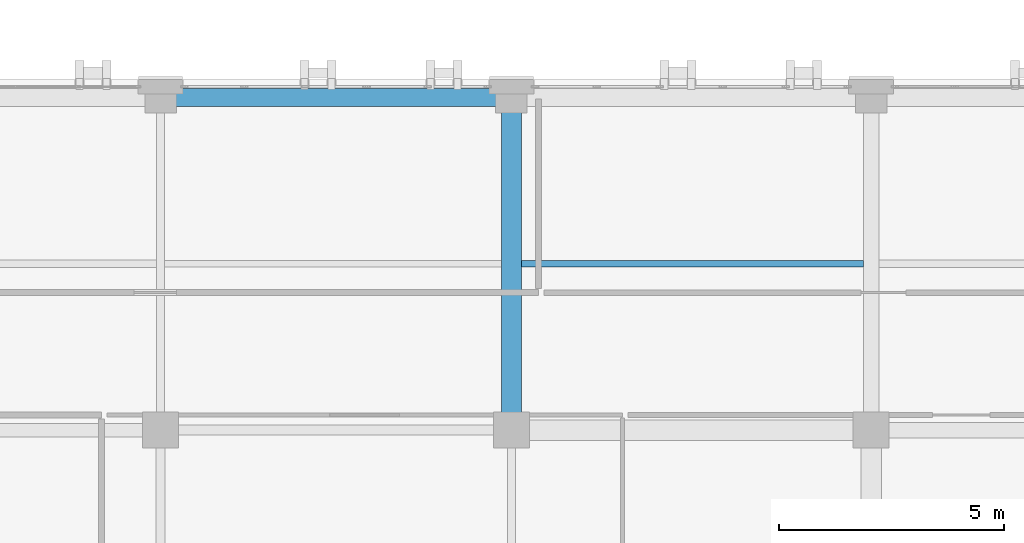
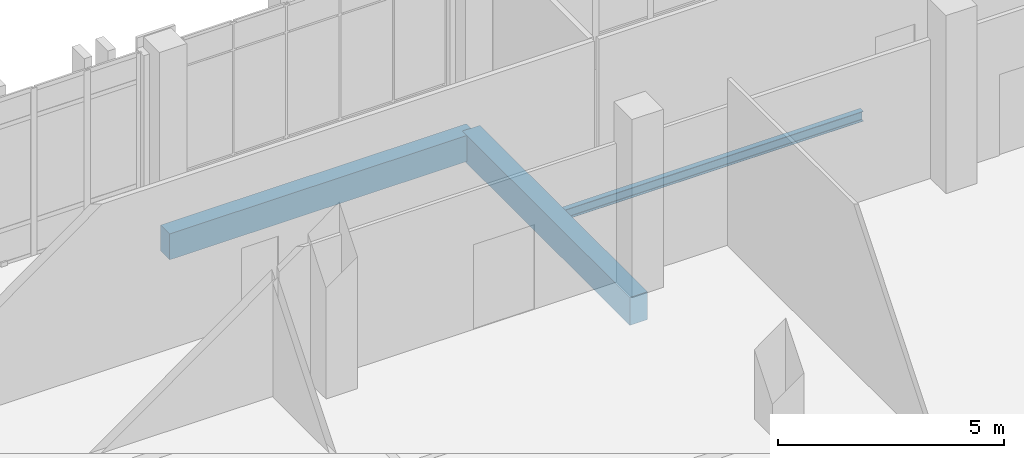
# One storey, part 124 of 189: 3 beams.
"""IFC4 building model written with IfcOpenShell, lengths in metres."""

from ifc_helpers import new_model, si_unit, direction, frame, origin, origin_2d, place, context, subcontext, project, spatial, rectangle, i_section, extrude, material, material_profile, profile_set, type_object, element, save


model = new_model("IFC4")

# Units and contexts
model_context = context("Model", 3, precision=1e-05, world=origin(), true_north=direction((0.0, 1.0)))
body_context = subcontext(model_context, "Body", "Model", "MODEL_VIEW")
ifc_project = project(units=[si_unit("LENGTHUNIT", "METRE"), si_unit("AREAUNIT", "SQUARE_METRE"), si_unit("VOLUMEUNIT", "CUBIC_METRE"), si_unit("PLANEANGLEUNIT", "RADIAN"), si_unit("MASSUNIT", "GRAM", prefix="KILO")], contexts=[model_context])

# Site, building, storey
site_placement = place(None, origin())
site = spatial("IfcSite", under=ifc_project, at=site_placement, CompositionType="ELEMENT")
building_placement = place(site_placement, origin())
building = spatial("IfcBuilding", under=site, at=building_placement, Name="Qalavern Law Courts", CompositionType="ELEMENT")
storey_placement = place(building_placement, frame((0.0, 0.0, 5.39990234375)))
storey = spatial("IfcBuildingStorey", under=building, at=storey_placement, Name="L01", CompositionType="ELEMENT", Elevation=5.39990234375)

# Beams
ifc_material_1 = material(Name="Concrete C40/50", Category="concrete")
ifc_material_profile_1 = material_profile(ifc_material_1, rectangle(XDim=0.449951171875, YDim=0.75, at=origin_2d()), Name="RC 450x750")
ifc_profile_set_1 = profile_set([ifc_material_profile_1], Name="Concrete C40/50")
beam_type_1 = type_object("IfcBeamType", Name="STR-BM-RC450x750", PredefinedType="BEAM", material=ifc_profile_set_1)
beam_1_placement = place(storey_placement, frame((149.800048828125, 14.800048828125, -0.6748046875), z_axis=(0.0, 1.0, 0.0), x_axis=(-1.0, 0.0, 0.0)))
element("IfcBeam", 1, at=beam_1_placement, inside=storey, type_object=beam_type_1, Name="V6 Y-beam 7-3 L01", PredefinedType="BEAM", context=body_context, shape_type="SweptSolid", body=[
    extrude(rectangle(XDim=0.449951171875, YDim=0.75, at=origin_2d()), origin(), (0.0, 0.0, 1.0), 7.39990234375),
])
ifc_material_2 = material(Name="Steel S355", Category="steel")
ifc_material_profile_2 = material_profile(ifc_material_2, i_section(OverallWidth=0.135009765625, OverallDepth=0.27001953125, WebThickness=0.006591796875, FlangeThickness=0.01025390625, FilletRadius=0.014892578125, at=origin_2d()), Name="IPE 270")
ifc_profile_set_2 = profile_set([ifc_material_profile_2], Name="Steel S355")
beam_type_2 = type_object("IfcBeamType", Name="STR-JST-IPE270", PredefinedType="JOIST", material=ifc_profile_set_2)
beam_2_placement = place(storey_placement, frame((150.02294921875, 18.5, -0.434814453125), z_axis=(1.0, 0.0, 0.0), x_axis=(0.0, 1.0, 0.0)))
element("IfcBeam", 2, at=beam_2_placement, inside=storey, type_object=beam_type_2, Name="V6 secondary joist 7.3.1 L01", PredefinedType="JOIST", context=body_context, shape_type="SweptSolid", body=[
    extrude(i_section(OverallWidth=0.135009765625, OverallDepth=0.27001953125, WebThickness=0.006591796875, FlangeThickness=0.01025390625, FilletRadius=0.014892578125, at=origin_2d()), origin(), (0.0, 0.0, 1.0), 7.60400390625),
])
ifc_material_profile_3 = material_profile(ifc_material_1, rectangle(XDim=0.39990234375, YDim=0.699951171875, at=origin_2d()), Name="RC 400x700")
ifc_profile_set_3 = profile_set([ifc_material_profile_3], Name="Concrete C40/50")
beam_type_3 = type_object("IfcBeamType", Name="STR-SP-RC400x700", PredefinedType="SPANDREL", material=ifc_profile_set_3)
beam_3_placement = place(storey_placement, frame((142.0, 22.199951171875, -0.64990234375), z_axis=(1.0, 0.0, 0.0), x_axis=(0.0, 1.0, 0.0)))
element("IfcBeam", 3, at=beam_3_placement, inside=storey, type_object=beam_type_3, Name="V6 X-beam 4-6 L01", PredefinedType="SPANDREL", context=body_context, shape_type="SweptSolid", body=[
    extrude(rectangle(XDim=0.39990234375, YDim=0.699951171875, at=origin_2d()), origin(), (0.0, 0.0, 1.0), 7.800048828125),
])

save(model, "model.ifc")
